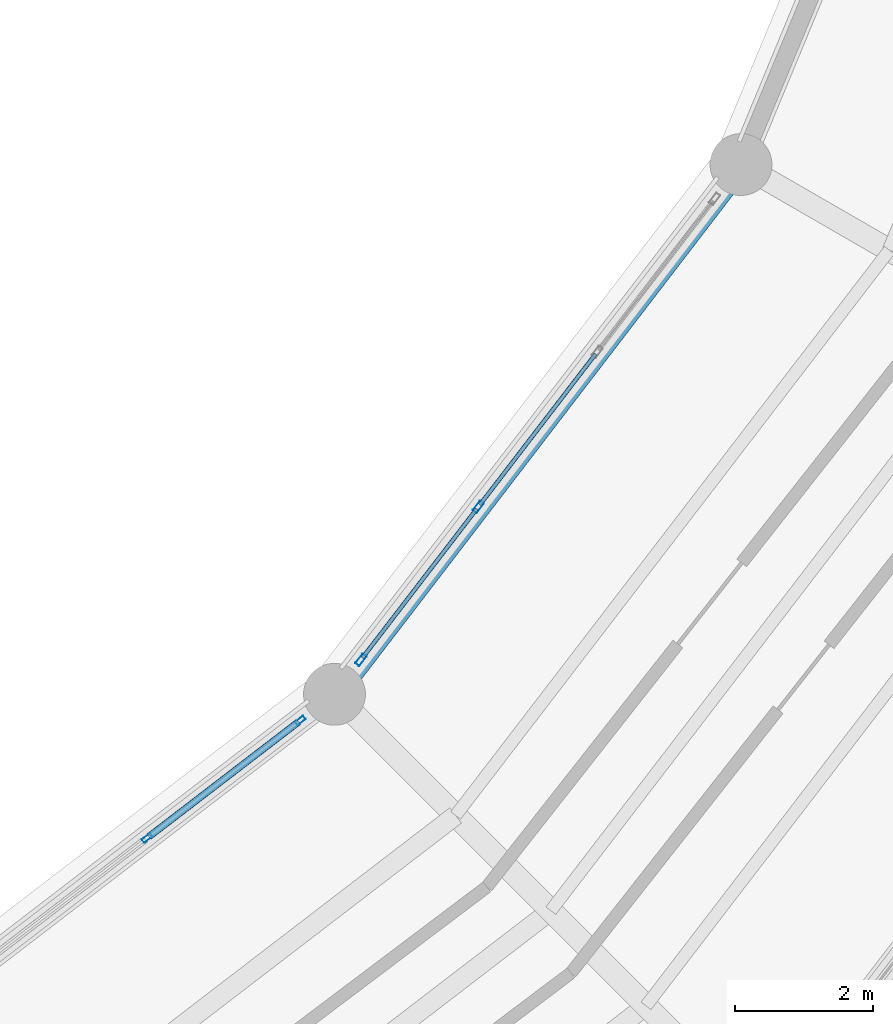
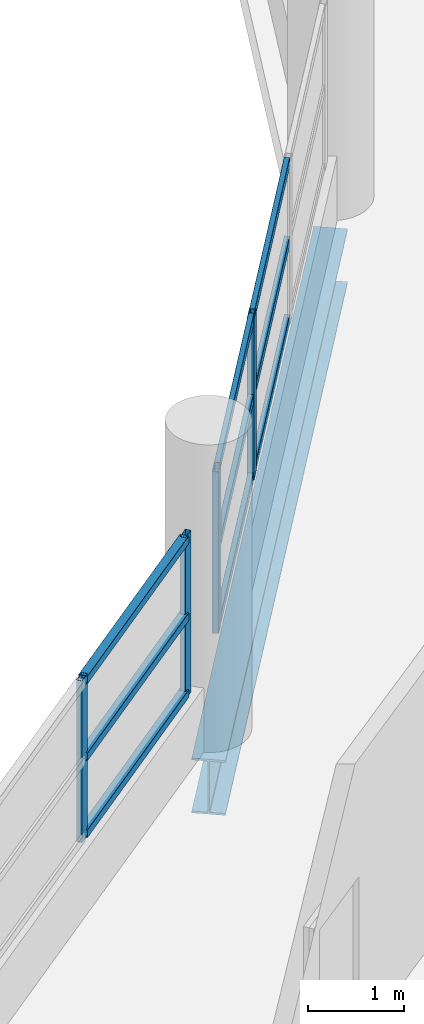
# One storey, part 49 of 108: 13 members, 1 beam, 2 elements without a shape of their own.
"""IFC4 building model written with IfcOpenShell, lengths in metres."""

from ifc_helpers import new_model, si_unit, direction, frame, origin, origin_2d, place, context, subcontext, project, spatial, hollow_rectangle, i_section, extrude, material, layer, layer_set, material_profile, profile_set, type_object, element, aggregate, save


model = new_model("IFC4")

# Units and contexts
model_context = context("Model", 3, precision=1e-05, world=origin(), true_north=direction((0.0, 1.0)))
body_context = subcontext(model_context, "Body", "Model", "MODEL_VIEW")
ifc_project = project(units=[si_unit("LENGTHUNIT", "METRE"), si_unit("AREAUNIT", "SQUARE_METRE"), si_unit("VOLUMEUNIT", "CUBIC_METRE"), si_unit("PLANEANGLEUNIT", "RADIAN"), si_unit("MASSUNIT", "GRAM", prefix="KILO")], contexts=[model_context])

# Site, building, storey
site_placement = place(None, origin())
site = spatial("IfcSite", under=ifc_project, at=site_placement, CompositionType="ELEMENT")
building_placement = place(site_placement, origin())
building = spatial("IfcBuilding", under=site, at=building_placement, Name="Vespera Passage Community Centre", CompositionType="ELEMENT")
storey_placement = place(building_placement, frame((0.0, 0.0, 12.60009765625)))
storey = spatial("IfcBuildingStorey", under=building, at=storey_placement, Name="L03", CompositionType="ELEMENT", Elevation=12.60009765625)

# Beam
ifc_material_1 = material(Name="Steel ASTM A992 Grade 50", Category="steel")
ifc_material_profile_1 = material_profile(ifc_material_1, i_section(OverallWidth=0.3544921875, OverallDepth=0.695556640625, WebThickness=0.015380859375, FlangeThickness=0.024658203125, FilletRadius=0.01513671875, at=origin_2d()), Name="W27X146")
ifc_profile_set_1 = profile_set([ifc_material_profile_1], Name="Steel ASTM A992 Grade 50")
beam_type = type_object("IfcBeamType", Name="BM-SP-W27X146E", PredefinedType="SPANDREL", material=ifc_profile_set_1)
beam_placement = place(storey_placement, frame((104.304443359375, 39.195556640625, -0.747802734375), z_axis=(0.60875291963, 0.793359869694, 0.0), x_axis=(-0.793359869694, 0.60875291963, 0.0)))
element("IfcBeam", 1, at=beam_placement, inside=storey, type_object=beam_type, Name="V4 L03 Inner Spandrel 21", PredefinedType="SPANDREL", context=body_context, shape_type="SweptSolid", body=[
    extrude(i_section(OverallWidth=0.3544921875, OverallDepth=0.695556640625, WebThickness=0.015380859375, FlangeThickness=0.024658203125, FilletRadius=0.01513671875, at=origin_2d()), origin(), (0.0, 0.0, 1.0), 9.7109375),
])

# Curtain wall, members
ifc_material_2 = material(Name="Anodized aluminium 6063-T6", Category="aluminium")
ifc_layer_1 = layer(ifc_material_2, 0.159912109375)
ifc_layer_set_1 = layer_set([ifc_layer_1], Name="Anodized aluminium 6063-T6")
curtain_wall_type_1 = type_object("IfcCurtainWallType", Name="CW-45E", PredefinedType="NOTDEFINED", material=ifc_layer_set_1)
curtain_wall_1_placement = place(storey_placement, origin())
curtain_wall_1 = element("IfcCurtainWall", 2, at=curtain_wall_1_placement, inside=storey, type_object=curtain_wall_type_1, Name="V4 L03 Inner Court Curtain Wall 20", PredefinedType="NOTDEFINED")
ifc_material_3 = material(Name="Anodized aluminium 6063-T6", Category="aluminium")
ifc_material_profile_2 = material_profile(ifc_material_3, hollow_rectangle(XDim=0.06494140625, YDim=0.14990234375, WallThickness=0.00390625, InnerFilletRadius=0.001953125, OuterFilletRadius=0.00390625, at=origin_2d()), Name="ALU150X65X4")
ifc_profile_set_2 = profile_set([ifc_material_profile_2], Name="Anodized aluminium 6063-T6")
member_type_1 = type_object("IfcMemberType", Name="MB-CWM-150E", PredefinedType="MULLION", material=ifc_profile_set_2)
member_1_placement = place(storey_placement, frame((101.579345703125, 37.104736328125, 0.81982421875), z_axis=(0.0, 0.0, 1.0), x_axis=(-0.608755087843, 0.793358205999, 0.0)))
member_1 = element("IfcMember", 3, at=member_1_placement, type_object=member_type_1, Name="CW-45E mullion 3", PredefinedType="MULLION", context=body_context, shape_type="SweptSolid", body=[
    extrude(hollow_rectangle(XDim=0.06494140625, YDim=0.14990234375, WallThickness=0.00390625, InnerFilletRadius=0.001953125, OuterFilletRadius=0.00390625, at=origin_2d()), origin(), (0.0, 0.0, 1.0), 2.049560546875),
])
member_2_placement = place(storey_placement, frame((103.80810546875, 38.814697265625, 0.81982421875), z_axis=(0.0, 0.0, 1.0), x_axis=(-0.608755087843, 0.793358205999, 0.0)))
member_2 = element("IfcMember", 4, at=member_2_placement, type_object=member_type_1, Name="CW-45E mullion 4", PredefinedType="MULLION", context=body_context, shape_type="SweptSolid", body=[
    extrude(hollow_rectangle(XDim=0.06494140625, YDim=0.14990234375, WallThickness=0.00390625, InnerFilletRadius=0.001953125, OuterFilletRadius=0.00390625, at=origin_2d()), origin(), (0.0, 0.0, 1.0), 2.049560546875),
])

ifc_material_4 = material(Name="Anodized aluminium 6063-T6", Category="aluminium")
ifc_layer_2 = layer(ifc_material_4, 0.159912109375)
ifc_layer_set_2 = layer_set([ifc_layer_2], Name="Anodized aluminium 6063-T6")
curtain_wall_type_2 = type_object("IfcCurtainWallType", Name="CW-38E", PredefinedType="NOTDEFINED", material=ifc_layer_set_2)
curtain_wall_2_placement = place(storey_placement, origin())
curtain_wall_2 = element("IfcCurtainWall", 5, at=curtain_wall_2_placement, inside=storey, type_object=curtain_wall_type_2, Name="V4 L03 Inner Court Curtain Wall 21", PredefinedType="NOTDEFINED")
ifc_material_5 = material(Name="Anodized aluminium 6063-T6", Category="aluminium")
ifc_material_profile_3 = material_profile(ifc_material_5, hollow_rectangle(XDim=0.074951171875, YDim=0.179931640625, WallThickness=0.0048828125, InnerFilletRadius=0.00244140625, OuterFilletRadius=0.0048828125, at=origin_2d()), Name="ALU180X75X5")
ifc_profile_set_3 = profile_set([ifc_material_profile_3], Name="Anodized aluminium 6063-T6")
member_type_2 = type_object("IfcMemberType", Name="MB-CWM-180E", PredefinedType="MULLION", material=ifc_profile_set_3)
member_3_placement = place(storey_placement, frame((104.688232421875, 39.696044921875, 0.81982421875), z_axis=(0.0, 0.0, 1.0), x_axis=(-0.793358205999, 0.608755087843, 0.0)))
member_3 = element("IfcMember", 6, at=member_3_placement, type_object=member_type_2, Name="CW-38E mullion 1", PredefinedType="MULLION", context=body_context, shape_type="SweptSolid", body=[
    extrude(hollow_rectangle(XDim=0.074951171875, YDim=0.179931640625, WallThickness=0.0048828125, InnerFilletRadius=0.00244140625, OuterFilletRadius=0.0048828125, at=origin_2d()), origin(), (0.0, 0.0, 1.0), 2.049560546875),
])
member_4_placement = place(storey_placement, frame((106.395263671875, 41.920654296875, 0.81982421875), z_axis=(0.0, 0.0, 1.0), x_axis=(-0.793358205999, 0.608755087843, 0.0)))
member_4 = element("IfcMember", 7, at=member_4_placement, type_object=member_type_2, Name="CW-38E mullion 2", PredefinedType="MULLION", context=body_context, shape_type="SweptSolid", body=[
    extrude(hollow_rectangle(XDim=0.074951171875, YDim=0.179931640625, WallThickness=0.0048828125, InnerFilletRadius=0.00244140625, OuterFilletRadius=0.0048828125, at=origin_2d()), origin(), (0.0, 0.0, 1.0), 2.049560546875),
])

# Member
ifc_material_6 = material(Name="Anodized aluminium 6063-T6", Category="aluminium")
ifc_material_profile_4 = material_profile(ifc_material_6, hollow_rectangle(XDim=0.10009765625, YDim=0.10009765625, WallThickness=0.00390625, InnerFilletRadius=0.001953125, OuterFilletRadius=0.00390625, at=origin_2d()), Name="ALU100X100X4")
ifc_profile_set_4 = profile_set([ifc_material_profile_4], Name="Anodized aluminium 6063-T6")
member_type_3 = type_object("IfcMemberType", Name="MB-CWT-100E", PredefinedType="USERDEFINED", material=ifc_profile_set_4)
member_5_placement = place(storey_placement, frame((101.605224609375, 37.12451171875, 0.869873046875), z_axis=(0.793364286906, 0.608747162837, 0.0), x_axis=(-0.608747162837, 0.793364286906, 0.0)))
member_5 = element("IfcMember", 8, at=member_5_placement, type_object=member_type_3, Name="CW-45E transom 3.1", ObjectType="TRANSOM", PredefinedType="USERDEFINED", context=body_context, shape_type="SweptSolid", body=[
    extrude(hollow_rectangle(XDim=0.10009765625, YDim=0.10009765625, WallThickness=0.00390625, InnerFilletRadius=0.001953125, OuterFilletRadius=0.00390625, at=origin_2d()), origin(), (0.0, 0.0, 1.0), 2.743896484375),
])

member_6_placement = place(storey_placement, frame((101.605224609375, 37.12451171875, 1.844482421875), z_axis=(0.793364286906, 0.608747162837, 0.0), x_axis=(-0.608747162837, 0.793364286906, 0.0)))
member_6 = element("IfcMember", 9, at=member_6_placement, type_object=member_type_3, Name="CW-45E transom 3.2", ObjectType="TRANSOM", PredefinedType="USERDEFINED", context=body_context, shape_type="SweptSolid", body=[
    extrude(hollow_rectangle(XDim=0.10009765625, YDim=0.10009765625, WallThickness=0.00390625, InnerFilletRadius=0.001953125, OuterFilletRadius=0.00390625, at=origin_2d()), origin(), (0.0, 0.0, 1.0), 2.743896484375),
])

member_7_placement = place(storey_placement, frame((101.605224609375, 37.12451171875, 2.8193359375), z_axis=(0.793364286906, 0.608747162837, 0.0), x_axis=(-0.608747162837, 0.793364286906, 0.0)))
member_7 = element("IfcMember", 10, at=member_7_placement, type_object=member_type_3, Name="CW-45E transom 3.3", ObjectType="TRANSOM", PredefinedType="USERDEFINED", context=body_context, shape_type="SweptSolid", body=[
    extrude(hollow_rectangle(XDim=0.10009765625, YDim=0.10009765625, WallThickness=0.00390625, InnerFilletRadius=0.001953125, OuterFilletRadius=0.00390625, at=origin_2d()), origin(), (0.0, 0.0, 1.0), 2.743896484375),
])

aggregate(curtain_wall_1, [member_1, member_2, member_5, member_6, member_7])

ifc_material_7 = material(Name="Anodized aluminium 6063-T6", Category="aluminium")
ifc_material_profile_5 = material_profile(ifc_material_7, hollow_rectangle(XDim=0.06005859375, YDim=0.1201171875, WallThickness=0.00390625, InnerFilletRadius=0.001953125, OuterFilletRadius=0.00390625, at=origin_2d()), Name="ALU120X60X4")
ifc_profile_set_5 = profile_set([ifc_material_profile_5], Name="Anodized aluminium 6063-T6")
member_type_4 = type_object("IfcMemberType", Name="MB-CWT-120E", PredefinedType="USERDEFINED", material=ifc_profile_set_5)
member_8_placement = place(storey_placement, frame((104.711181640625, 39.7255859375, 0.849853515625), z_axis=(0.608737609183, 0.793371617318, 0.0), x_axis=(-0.793371617318, 0.608737609183, 0.0)))
member_8 = element("IfcMember", 11, at=member_8_placement, type_object=member_type_4, Name="CW-38E transom 1.1", ObjectType="TRANSOM", PredefinedType="USERDEFINED", context=body_context, shape_type="SweptSolid", body=[
    extrude(hollow_rectangle(XDim=0.06005859375, YDim=0.1201171875, WallThickness=0.00390625, InnerFilletRadius=0.001953125, OuterFilletRadius=0.00390625, at=origin_2d()), origin(), (0.0, 0.0, 1.0), 2.729248046875),
])

member_9_placement = place(storey_placement, frame((104.711181640625, 39.7255859375, 1.844482421875), z_axis=(0.608737609183, 0.793371617318, 0.0), x_axis=(-0.793371617318, 0.608737609183, 0.0)))
member_9 = element("IfcMember", 12, at=member_9_placement, type_object=member_type_4, Name="CW-38E transom 1.2", ObjectType="TRANSOM", PredefinedType="USERDEFINED", context=body_context, shape_type="SweptSolid", body=[
    extrude(hollow_rectangle(XDim=0.06005859375, YDim=0.1201171875, WallThickness=0.00390625, InnerFilletRadius=0.001953125, OuterFilletRadius=0.00390625, at=origin_2d()), origin(), (0.0, 0.0, 1.0), 2.729248046875),
])

member_10_placement = place(storey_placement, frame((104.711181640625, 39.7255859375, 2.83935546875), z_axis=(0.608737609183, 0.793371617318, 0.0), x_axis=(-0.793371617318, 0.608737609183, 0.0)))
member_10 = element("IfcMember", 13, at=member_10_placement, type_object=member_type_4, Name="CW-38E transom 1.3", ObjectType="TRANSOM", PredefinedType="USERDEFINED", context=body_context, shape_type="SweptSolid", body=[
    extrude(hollow_rectangle(XDim=0.06005859375, YDim=0.1201171875, WallThickness=0.00390625, InnerFilletRadius=0.001953125, OuterFilletRadius=0.00390625, at=origin_2d()), origin(), (0.0, 0.0, 1.0), 2.729248046875),
])

member_11_placement = place(storey_placement, frame((106.418212890625, 41.950439453125, 0.849853515625), z_axis=(0.608746452695, 0.793364831796, 0.0), x_axis=(-0.793364831796, 0.608746452695, 0.0)))
member_11 = element("IfcMember", 14, at=member_11_placement, type_object=member_type_4, Name="CW-38E transom 2.1", ObjectType="TRANSOM", PredefinedType="USERDEFINED", context=body_context, shape_type="SweptSolid", body=[
    extrude(hollow_rectangle(XDim=0.06005859375, YDim=0.1201171875, WallThickness=0.00390625, InnerFilletRadius=0.001953125, OuterFilletRadius=0.00390625, at=origin_2d()), origin(), (0.0, 0.0, 1.0), 2.766357421875),
])

member_12_placement = place(storey_placement, frame((106.418212890625, 41.950439453125, 1.844482421875), z_axis=(0.608746452695, 0.793364831796, 0.0), x_axis=(-0.793364831796, 0.608746452695, 0.0)))
member_12 = element("IfcMember", 15, at=member_12_placement, type_object=member_type_4, Name="CW-38E transom 2.2", ObjectType="TRANSOM", PredefinedType="USERDEFINED", context=body_context, shape_type="SweptSolid", body=[
    extrude(hollow_rectangle(XDim=0.06005859375, YDim=0.1201171875, WallThickness=0.00390625, InnerFilletRadius=0.001953125, OuterFilletRadius=0.00390625, at=origin_2d()), origin(), (0.0, 0.0, 1.0), 2.766357421875),
])

member_13_placement = place(storey_placement, frame((106.418212890625, 41.950439453125, 2.83935546875), z_axis=(0.608746452695, 0.793364831796, 0.0), x_axis=(-0.793364831796, 0.608746452695, 0.0)))
member_13 = element("IfcMember", 16, at=member_13_placement, type_object=member_type_4, Name="CW-38E transom 2.3", ObjectType="TRANSOM", PredefinedType="USERDEFINED", context=body_context, shape_type="SweptSolid", body=[
    extrude(hollow_rectangle(XDim=0.06005859375, YDim=0.1201171875, WallThickness=0.00390625, InnerFilletRadius=0.001953125, OuterFilletRadius=0.00390625, at=origin_2d()), origin(), (0.0, 0.0, 1.0), 2.766357421875),
])

aggregate(curtain_wall_2, [member_3, member_4, member_8, member_9, member_10, member_11, member_12, member_13])

save(model, "model.ifc")
